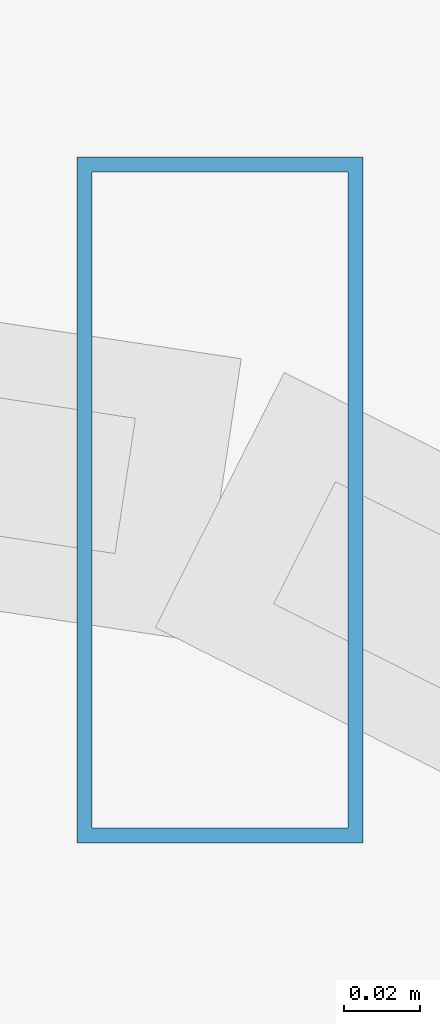
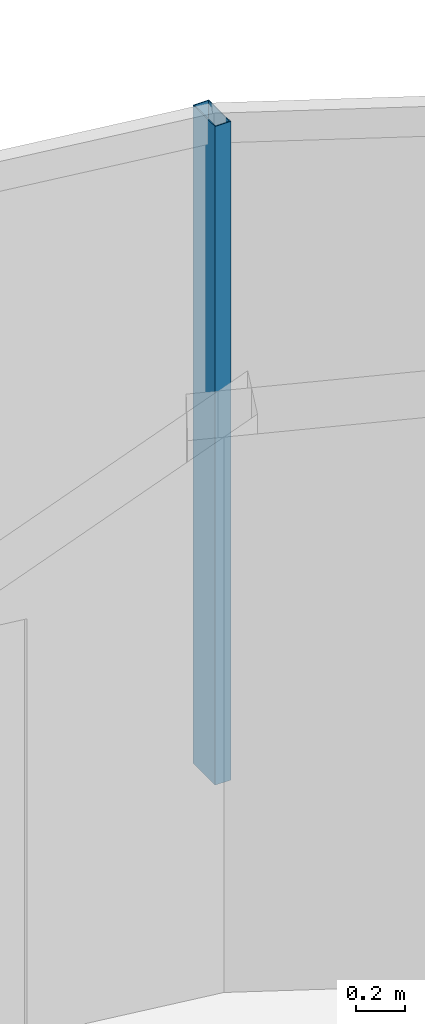
# One storey, part 20 of 33: 1 member, 1 element without a shape of its own.
"""IFC4 building model written with IfcOpenShell, lengths in metres."""

from ifc_helpers import new_model, si_unit, direction, frame, origin, origin_2d, place, context, subcontext, project, spatial, hollow_rectangle, extrude, material, material_profile, profile_set, type_object, element, aggregate, save


model = new_model("IFC4")

# Units and contexts
model_context = context("Model", 3, precision=1e-05, world=origin(), true_north=direction((0.0, 1.0)))
body_context = subcontext(model_context, "Body", "Model", "MODEL_VIEW")
ifc_project = project(units=[si_unit("LENGTHUNIT", "METRE"), si_unit("AREAUNIT", "SQUARE_METRE"), si_unit("VOLUMEUNIT", "CUBIC_METRE"), si_unit("PLANEANGLEUNIT", "RADIAN"), si_unit("MASSUNIT", "GRAM", prefix="KILO")], contexts=[model_context])

# Site, building, storey
site_placement = place(None, origin())
site = spatial("IfcSite", under=ifc_project, at=site_placement, CompositionType="ELEMENT")
building_placement = place(site_placement, origin())
building = spatial("IfcBuilding", under=site, at=building_placement, Name="Vorneva Point Tower", CompositionType="ELEMENT")
storey_placement = place(building_placement, frame((0.0, 0.0, 179.10009765625)))
storey = spatial("IfcBuildingStorey", under=building, at=storey_placement, Name="L48", CompositionType="ELEMENT", Elevation=179.10009765625)

# Curtain wall, member
ifc_material = material(Name="Pale anodised aluminium", Category="aluminium")
curtain_wall_type = type_object("IfcCurtainWallType", Name="CW-RES-SYS", PredefinedType="NOTDEFINED", material=ifc_material)
curtain_wall_placement = place(storey_placement, origin())
curtain_wall = element("IfcCurtainWall", 1, at=curtain_wall_placement, inside=storey, type_object=curtain_wall_type, Name="L48 Unitised Curtain Wall CW-L48-R01", PredefinedType="NOTDEFINED")
ifc_material_profile = material_profile(ifc_material, hollow_rectangle(XDim=0.074951171875, YDim=0.179931640625, WallThickness=0.00390625, at=origin_2d()), Name="AL-MUL 180x75x4")
ifc_profile_set = profile_set([ifc_material_profile], Name="Pale anodised aluminium")
member_type = type_object("IfcMemberType", Name="CW-MUL-180", PredefinedType="MULLION", material=ifc_profile_set)
member_placement = place(storey_placement, frame((48.80322265625, 45.724853515625, -0.0400390625), z_axis=(0.0, 0.0, 1.0), x_axis=(1.0, 0.0, 0.0)))
member = element("IfcMember", 2, at=member_placement, type_object=member_type, Name="CW-L48-R01 Mullion 03", PredefinedType="MULLION", context=body_context, shape_type="SweptSolid", body=[
    extrude(hollow_rectangle(XDim=0.074951171875, YDim=0.179931640625, WallThickness=0.00390625, at=origin_2d()), origin(), (0.0, 0.0, 1.0), 3.31005859375),
])
aggregate(curtain_wall, [member])

save(model, "model.ifc")
